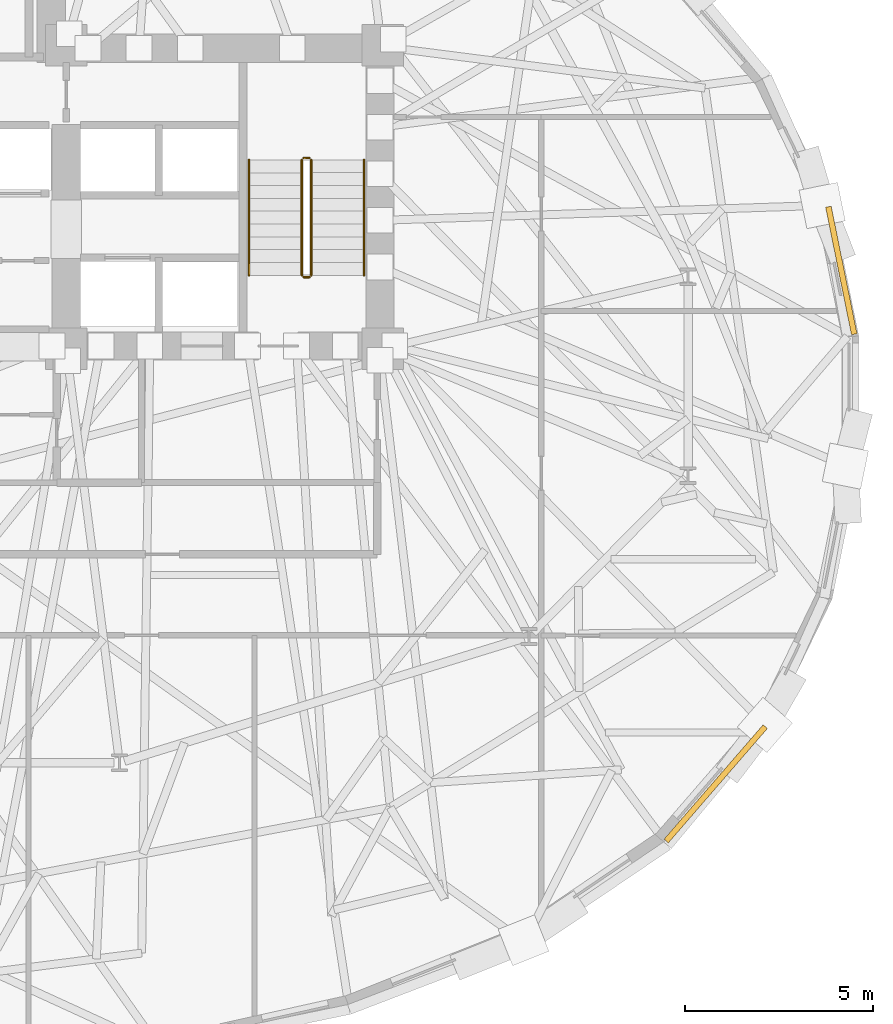
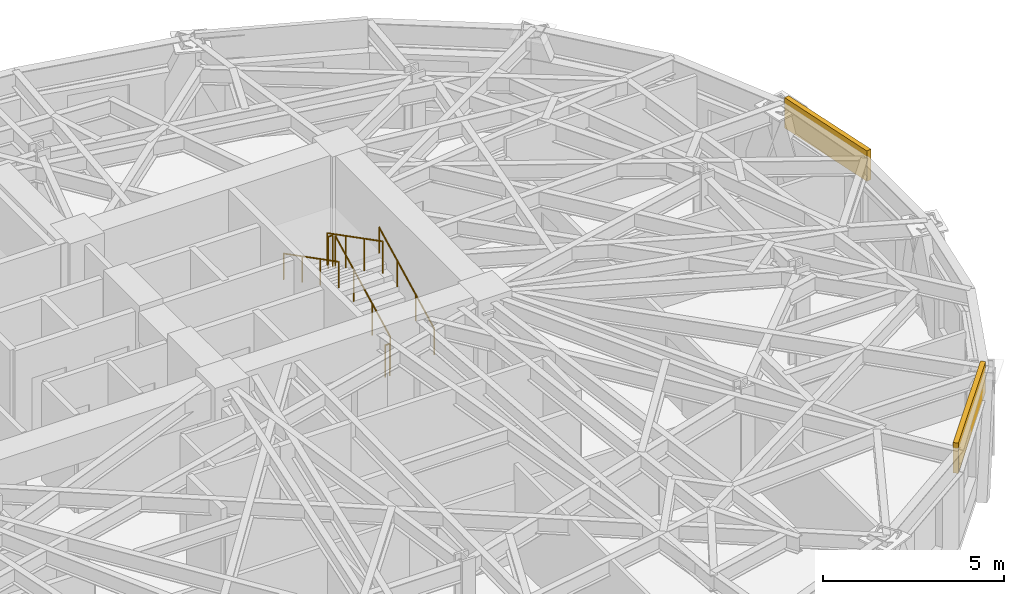
# One storey, part 13 of 14: 6 railings, 2 coverings.
"""IFC4 building model written with IfcOpenShell, lengths in metres."""

import ifcopenshell
import ifcopenshell.guid

model = None  # the IFC model being written
_history = None  # IfcOwnerHistory: only IFC2X3 demands one
_inside = {}  # id of a spatial element -> (the spatial element, [elements in it])
_under = {}  # id of a project, library or spatial element -> (it, [spatial elements below it])
_declared = {}  # id of a project -> (the project, [libraries it declares])
_typed = {}  # id of a type object -> (the type object, [elements of that type])
_made_of = {}  # id of a material, layer set ... -> (it, [elements and type objects made of it])


def new_model(schema):
    """Start an empty IFC model of exactly this schema.

    Asked for "IFC4X3", IfcOpenShell would pick the latest addendum, in which some entities
    have other attributes; the version numbers below select the first issue.
    IFC2X3 requires an IfcOwnerHistory on every rooted entity: one is made here for all.
    """
    global model, _history
    if schema == "IFC4X3":
        model = ifcopenshell.file(schema_version=(4, 3, 0, 0))
    else:
        model = ifcopenshell.file(schema=schema)
    _inside.clear()
    _under.clear()
    _declared.clear()
    _typed.clear()
    _made_of.clear()
    _history = None
    if model.schema == "IFC2X3":
        org = make("IfcOrganization", Name="unknown")
        user = make(
            "IfcPersonAndOrganization",
            ThePerson=make("IfcPerson", FamilyName="unknown"),
            TheOrganization=org,
        )
        app = make(
            "IfcApplication",
            ApplicationDeveloper=org,
            Version="unknown",
            ApplicationFullName="unknown",
            ApplicationIdentifier="unknown",
        )
        _history = make(
            "IfcOwnerHistory",
            OwningUser=user,
            OwningApplication=app,
            ChangeAction="ADDED",
            CreationDate=0,
        )
    return model


def make(cls, **values):
    """One entity of the class cls with the attributes given. An attribute that is None is left unset."""
    return model.create_entity(
        cls, **{name: value for name, value in values.items() if value is not None}
    )


def rooted(cls, **values):
    """An entity with a GlobalId (a new one), such as an element, a storey or a relation."""
    return make(cls, GlobalId=ifcopenshell.guid.new(), OwnerHistory=_history, **values)


def si_unit(unit_type, name, prefix=None):
    """IfcSIUnit, for example si_unit("LENGTHUNIT", "METRE", prefix="MILLI")."""
    return make("IfcSIUnit", UnitType=unit_type, Prefix=prefix, Name=name)


def assignment(units):
    """IfcUnitAssignment: the units of a project."""
    return None if units is None else make("IfcUnitAssignment", Units=units)


def point(xyz):
    """IfcCartesianPoint."""
    return None if xyz is None else make("IfcCartesianPoint", Coordinates=xyz)


def direction(xyz):
    """IfcDirection."""
    return None if xyz is None else make("IfcDirection", DirectionRatios=xyz)


def frame(location, z_axis=None, x_axis=None):
    """IfcAxis2Placement3D, a coordinate frame: its origin and axes. An axis left out is left unset."""
    return make(
        "IfcAxis2Placement3D",
        Location=point(location),
        Axis=direction(z_axis),
        RefDirection=direction(x_axis),
    )


def frame_2d(location, x_axis=None):
    """IfcAxis2Placement2D, a coordinate frame in the plane: its origin and x axis."""
    return make(
        "IfcAxis2Placement2D", Location=point(location), RefDirection=direction(x_axis)
    )


def origin():
    """The frame at (0, 0, 0) with its axes left unset."""
    return frame((0.0, 0.0, 0.0))


def origin_2d():
    """The frame at (0, 0) in the plane with its x axis left unset."""
    return frame_2d((0.0, 0.0))


def place(relative_to, where):
    """IfcLocalPlacement: puts the frame where relative to a parent placement (None: the world)."""
    return make(
        "IfcLocalPlacement", PlacementRelTo=relative_to, RelativePlacement=where
    )


def context(
    kind, dimensions, precision=None, world=None, true_north=None, identifier=None
):
    """IfcGeometricRepresentationContext, for example the 3D "Model" context."""
    return make(
        "IfcGeometricRepresentationContext",
        ContextIdentifier=identifier,
        ContextType=kind,
        CoordinateSpaceDimension=dimensions,
        Precision=precision,
        WorldCoordinateSystem=world,
        TrueNorth=true_north,
    )


def subcontext(parent, identifier, kind, view, scale=None):
    """IfcGeometricRepresentationSubContext, for example "Body" below "Model"."""
    return make(
        "IfcGeometricRepresentationSubContext",
        ContextIdentifier=identifier,
        ContextType=kind,
        ParentContext=parent,
        TargetScale=scale,
        TargetView=view,
    )


def project(units=None, contexts=None):
    """IfcProject with its units and contexts."""
    return rooted(
        "IfcProject",
        Name="project",
        RepresentationContexts=contexts,
        UnitsInContext=assignment(units),
    )


def spatial(cls, under=None, at=None, **own):
    """A site, building, storey or space (cls), placed at a placement, below another one or the project."""
    s = rooted(cls, ObjectPlacement=at, **own)
    if under is not None:
        _under.setdefault(under.id(), (under, []))[1].append(s)
    return s


def profile(cls, at=None, kind="AREA", **sizes):
    """A parametric profile (cls). Its sizes go by their IFC names, for example OverallWidth=200.0."""
    return make(cls, ProfileType=kind, Position=at, **sizes)


def rectangle(**sizes):
    """IfcRectangleProfileDef."""
    return profile("IfcRectangleProfileDef", **sizes)


def circle(**sizes):
    """IfcCircleProfileDef."""
    return profile("IfcCircleProfileDef", **sizes)


def extrude(swept, where, along, depth):
    """IfcExtrudedAreaSolid: the profile swept, set in the frame where, extruded along a direction by depth."""
    return make(
        "IfcExtrudedAreaSolid",
        SweptArea=swept,
        Position=where,
        ExtrudedDirection=direction(along),
        Depth=depth,
    )


def shape(context_of_items, identifier, shape_type, items):
    """IfcShapeRepresentation: the items that make up one representation, for example the "Body"."""
    return make(
        "IfcShapeRepresentation",
        ContextOfItems=context_of_items,
        RepresentationIdentifier=identifier,
        RepresentationType=shape_type,
        Items=items,
    )


def material(Name=None, Category=None):
    """IfcMaterial."""
    return make("IfcMaterial", Name=Name, Category=Category)


def layer(
    of_material, thickness, ventilated=None, Name=None, Category=None, Priority=None
):
    """IfcMaterialLayer: one layer of a wall or slab, of a material (None: an air gap)."""
    return make(
        "IfcMaterialLayer",
        Material=of_material,
        LayerThickness=thickness,
        IsVentilated=ventilated,
        Name=Name,
        Category=Category,
        Priority=Priority,
    )


def layer_set(layers, Name=None):
    """IfcMaterialLayerSet."""
    return make("IfcMaterialLayerSet", MaterialLayers=layers, LayerSetName=Name)


def made_of(thing, what):
    """Note that an element or type object is made of a material, layer set ...; save() writes the relation."""
    if what is not None:
        _made_of.setdefault(what.id(), (what, []))[1].append(thing)
    return thing


def type_object(cls, material=None, **own):
    """A type object (cls), such as IfcWallType, which elements share."""
    return made_of(rooted(cls, **own), material)


def element(
    cls,
    number,
    at=None,
    inside=None,
    cuts=None,
    type_object=None,
    material=None,
    context=None,
    identifier="Body",
    shape_type=None,
    held_by="IfcProductDefinitionShape",
    body=None,
    shapes=None,
    **own,
):
    """One element of the class cls, such as IfcWall. Its Tag is "e" and its number.

    at: its placement. inside: the storey or other place that contains it. cuts: it is an
    opening in that element (IfcRelVoidsElement). A single representation is given by context,
    identifier, shape_type and body (its items); several are given by shapes. held_by: the class
    of the entity that holds the representations. save() writes the other relations.
    """
    e = rooted(cls, Tag="e%d" % number, ObjectPlacement=at, **own)
    if body is not None:
        shapes = [shape(context, identifier, shape_type, body)]
    if shapes is not None:
        e.Representation = make(held_by, Representations=shapes)
    if inside is not None:
        _inside.setdefault(inside.id(), (inside, []))[1].append(e)
    if cuts is not None:
        rooted(
            "IfcRelVoidsElement", RelatingBuildingElement=cuts, RelatedOpeningElement=e
        )
    if type_object is not None:
        _typed.setdefault(type_object.id(), (type_object, []))[1].append(e)
    return made_of(e, material)


def aggregate(whole, parts):
    """IfcRelAggregates: a whole, such as a stair, and the parts it consists of."""
    return rooted("IfcRelAggregates", RelatingObject=whole, RelatedObjects=parts)


def save(model, path):
    """Write the relations noted so far, then the file.

    IfcRelAggregates (storeys below a building ...), IfcRelContainedInSpatialStructure (elements
    in a storey), IfcRelDefinesByType, IfcRelAssociatesMaterial and IfcRelDeclares: one each for
    every whole, place, type object, material and project.
    """
    for whole, parts in _under.values():
        aggregate(whole, parts)
    for where, things in _inside.values():
        rooted(
            "IfcRelContainedInSpatialStructure",
            RelatedElements=things,
            RelatingStructure=where,
        )
    for kind, things in _typed.values():
        rooted("IfcRelDefinesByType", RelatedObjects=things, RelatingType=kind)
    for what, things in _made_of.values():
        rooted("IfcRelAssociatesMaterial", RelatedObjects=things, RelatingMaterial=what)
    for by, libraries in _declared.values():
        rooted("IfcRelDeclares", RelatingContext=by, RelatedDefinitions=libraries)
    model.write(path)


model = new_model("IFC4")

# Units and contexts
model_context = context("Model", 3, precision=1e-05, world=origin(), true_north=direction((0.0, 1.0)))
body_context = subcontext(model_context, "Body", "Model", "MODEL_VIEW")
ifc_project = project(units=[si_unit("LENGTHUNIT", "METRE"), si_unit("AREAUNIT", "SQUARE_METRE"), si_unit("VOLUMEUNIT", "CUBIC_METRE"), si_unit("PLANEANGLEUNIT", "RADIAN"), si_unit("MASSUNIT", "GRAM", prefix="KILO")], contexts=[model_context])

# Site, building, storey
site_placement = place(None, origin())
site = spatial("IfcSite", under=ifc_project, at=site_placement, CompositionType="ELEMENT")
building_placement = place(site_placement, origin())
building = spatial("IfcBuilding", under=site, at=building_placement, Name="Keldmark Tower", CompositionType="ELEMENT")
storey_placement = place(building_placement, frame((0.0, 0.0, 121.10009765625)))
storey = spatial("IfcBuildingStorey", under=building, at=storey_placement, Name="L32", CompositionType="ELEMENT", Elevation=121.10009765625)

# Coverings
ifc_material_1 = material(Name="Honed Kasota Buff Dolomitic Limestone", Category="masonry")
ifc_layer = layer(ifc_material_1, 0.074951171875)
ifc_layer_set = layer_set([ifc_layer], Name="Honed Kasota Buff Dolomitic Limestone")
covering_type = type_object("IfcCoveringType", Name="Kasota Buff Limestone Spandrel Cladding Band", PredefinedType="CLADDING", material=ifc_layer_set)
covering_1_placement = place(storey_placement, frame((25.760986328125, 3.477294921875, 2.45166015625), z_axis=(0.0, 0.0, 1.0), x_axis=(-0.198769295319, 0.980046308721, 0.0)))
element("IfcCovering", 1, at=covering_1_placement, inside=storey, type_object=covering_type, Name="L32 Kasota Limestone Spandrel Band 01", PredefinedType="CLADDING", context=body_context, shape_type="SweptSolid", body=[
    extrude(rectangle(XDim=3.447509765625, YDim=0.14990234375, at=origin_2d()), origin(), (0.0, 0.0, 1.0), 1.028076171875),
])
covering_2_placement = place(storey_placement, frame((22.42919921875, -10.138916015625, 2.45166015625), z_axis=(0.0, 0.0, 1.0), x_axis=(0.654661657337, 0.755922029321, 0.0)))
element("IfcCovering", 2, at=covering_2_placement, inside=storey, type_object=covering_type, Name="L32 Kasota Limestone Spandrel Band 29", PredefinedType="CLADDING", context=body_context, shape_type="SweptSolid", body=[
    extrude(rectangle(XDim=4.013427734375, YDim=0.14990234375, at=origin_2d()), origin(), (0.0, 0.0, 1.0), 1.028076171875),
])

# Railings
ifc_material_2 = material(Name="Painted Steel ASTM A500 Grade B", Category="steel")
railing_type_1 = type_object("IfcRailingType", Name="Painted Steel Stair Well Guard 1100 mm", PredefinedType="GUARDRAIL", material=ifc_material_2)
railing_1_placement = place(storey_placement, frame((11.699951171875, 3.35009765625, 0.1748046875)))
element("IfcRailing", 3, at=railing_1_placement, inside=storey, type_object=railing_type_1, Name="L32 ST2 stair guard 1", PredefinedType="GUARDRAIL", context=body_context, shape_type="SweptSolid", body=[
    extrude(circle(Radius=0.02392578125, at=origin_2d()), frame((0.0, 0.0, 1.076171875), z_axis=(0.0, 0.889101422983, 0.457710235465), x_axis=(-1.0, 0.0, 0.0)), (0.0, 0.0, 1.0), 3.44140625),
    extrude(circle(Radius=0.02099609375, at=origin_2d()), origin(), (0.0, 0.0, 1.0), 1.052001953125),
    extrude(circle(Radius=0.02099609375, at=origin_2d()), frame((0.0, 1.02001953125, 0.525146484375)), (0.0, 0.0, 1.0), 1.052001953125),
    extrude(circle(Radius=0.02099609375, at=origin_2d()), frame((0.0, 2.039794921875, 1.050048828125)), (0.0, 0.0, 1.0), 1.052001953125),
    extrude(circle(Radius=0.02099609375, at=origin_2d()), frame((0.0, 3.059814453125, 1.5751953125)), (0.0, 0.0, 1.0), 1.052001953125),
])
railing_2_placement = place(storey_placement, frame((11.64990234375, 6.4599609375, 1.75)))
element("IfcRailing", 4, at=railing_2_placement, inside=storey, type_object=railing_type_1, Name="L32 ST2 stair guard 2", PredefinedType="GUARDRAIL", context=body_context, shape_type="SweptSolid", body=[
    extrude(circle(Radius=0.02392578125, at=origin_2d()), frame((0.0, 0.0, 1.076171875), z_axis=(-1.0, 0.0, 0.0), x_axis=(0.0, -1.0, 0.0)), (0.0, 0.0, 1.0), 0.14990234375),
    extrude(circle(Radius=0.02099609375, at=origin_2d()), origin(), (0.0, 0.0, 1.0), 1.052001953125),
    extrude(circle(Radius=0.02099609375, at=origin_2d()), frame((-0.14990234375, 0.0, 0.0)), (0.0, 0.0, 1.0), 1.052001953125),
])
railing_3_placement = place(storey_placement, frame((11.449951171875, 6.409912109375, 1.9248046875)))
element("IfcRailing", 5, at=railing_3_placement, inside=storey, type_object=railing_type_1, Name="L32 ST2 stair guard 3", PredefinedType="GUARDRAIL", context=body_context, shape_type="SweptSolid", body=[
    extrude(circle(Radius=0.02392578125, at=origin_2d()), frame((0.0, 0.0, 1.076171875), z_axis=(0.0, -0.889101422983, 0.457710235465), x_axis=(1.0, 0.0, 0.0)), (0.0, 0.0, 1.0), 3.44140625),
    extrude(circle(Radius=0.02099609375, at=origin_2d()), origin(), (0.0, 0.0, 1.0), 1.052001953125),
    extrude(circle(Radius=0.02099609375, at=origin_2d()), frame((0.0, -1.02001953125, 0.525146484375)), (0.0, 0.0, 1.0), 1.052001953125),
    extrude(circle(Radius=0.02099609375, at=origin_2d()), frame((0.0, -2.039794921875, 1.050048828125)), (0.0, 0.0, 1.0), 1.052001953125),
    extrude(circle(Radius=0.02099609375, at=origin_2d()), frame((0.0, -3.059814453125, 1.5751953125)), (0.0, 0.0, 1.0), 1.052001953125),
])
railing_4_placement = place(storey_placement, frame((11.64990234375, 3.300048828125, 0.0)))
element("IfcRailing", 6, at=railing_4_placement, inside=storey, type_object=railing_type_1, Name="L32 ST2 stair guard 4", PredefinedType="GUARDRAIL", context=body_context, shape_type="SweptSolid", body=[
    extrude(circle(Radius=0.02392578125, at=origin_2d()), frame((0.0, 0.0, 1.076171875), z_axis=(-1.0, 0.0, 0.0), x_axis=(0.0, -1.0, 0.0)), (0.0, 0.0, 1.0), 0.14990234375),
    extrude(circle(Radius=0.02099609375, at=origin_2d()), origin(), (0.0, 0.0, 1.0), 1.052001953125),
    extrude(circle(Radius=0.02099609375, at=origin_2d()), frame((-0.14990234375, 0.0, 0.0)), (0.0, 0.0, 1.0), 1.052001953125),
])
ifc_material_3 = material(Name="Stainless Steel AISI 316L", Category="steel")
railing_type_2 = type_object("IfcRailingType", Name="Stainless Steel Stair Handrail 900 mm", PredefinedType="HANDRAIL", material=ifc_material_3)
railing_5_placement = place(storey_placement, frame((13.10009765625, 3.35009765625, 0.1748046875)))
element("IfcRailing", 7, at=railing_5_placement, inside=storey, type_object=railing_type_2, Name="L32 ST2 stair handrail 1", PredefinedType="HANDRAIL", context=body_context, shape_type="SweptSolid", body=[
    extrude(circle(Radius=0.02392578125, at=origin_2d()), frame((0.0, 0.0, 0.8759765625), z_axis=(0.0, 0.889101422983, 0.457710235465), x_axis=(-1.0, 0.0, 0.0)), (0.0, 0.0, 1.0), 3.44140625),
    extrude(circle(Radius=0.02099609375, at=origin_2d()), origin(), (0.0, 0.0, 1.0), 0.851806640625),
    extrude(circle(Radius=0.02099609375, at=origin_2d()), frame((0.0, 1.02001953125, 0.525146484375)), (0.0, 0.0, 1.0), 0.851806640625),
    extrude(circle(Radius=0.02099609375, at=origin_2d()), frame((0.0, 2.039794921875, 1.050048828125)), (0.0, 0.0, 1.0), 0.851806640625),
    extrude(circle(Radius=0.02099609375, at=origin_2d()), frame((0.0, 3.059814453125, 1.5751953125)), (0.0, 0.0, 1.0), 0.851806640625),
])
railing_6_placement = place(storey_placement, frame((10.050048828125, 6.409912109375, 1.9248046875)))
element("IfcRailing", 8, at=railing_6_placement, inside=storey, type_object=railing_type_2, Name="L32 ST2 stair handrail 2", PredefinedType="HANDRAIL", context=body_context, shape_type="SweptSolid", body=[
    extrude(circle(Radius=0.02392578125, at=origin_2d()), frame((0.0, 0.0, 0.8759765625), z_axis=(0.0, -0.889101422983, 0.457710235465), x_axis=(1.0, 0.0, 0.0)), (0.0, 0.0, 1.0), 3.44140625),
    extrude(circle(Radius=0.02099609375, at=origin_2d()), origin(), (0.0, 0.0, 1.0), 0.851806640625),
    extrude(circle(Radius=0.02099609375, at=origin_2d()), frame((0.0, -1.02001953125, 0.525146484375)), (0.0, 0.0, 1.0), 0.851806640625),
    extrude(circle(Radius=0.02099609375, at=origin_2d()), frame((0.0, -2.039794921875, 1.050048828125)), (0.0, 0.0, 1.0), 0.851806640625),
    extrude(circle(Radius=0.02099609375, at=origin_2d()), frame((0.0, -3.059814453125, 1.5751953125)), (0.0, 0.0, 1.0), 0.851806640625),
])

save(model, "model.ifc")
